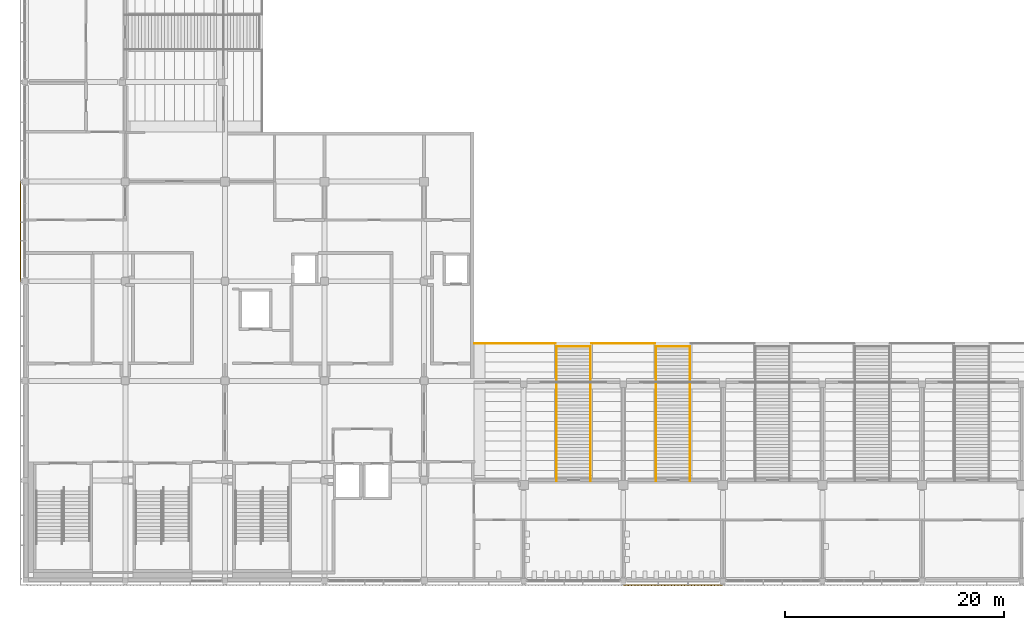
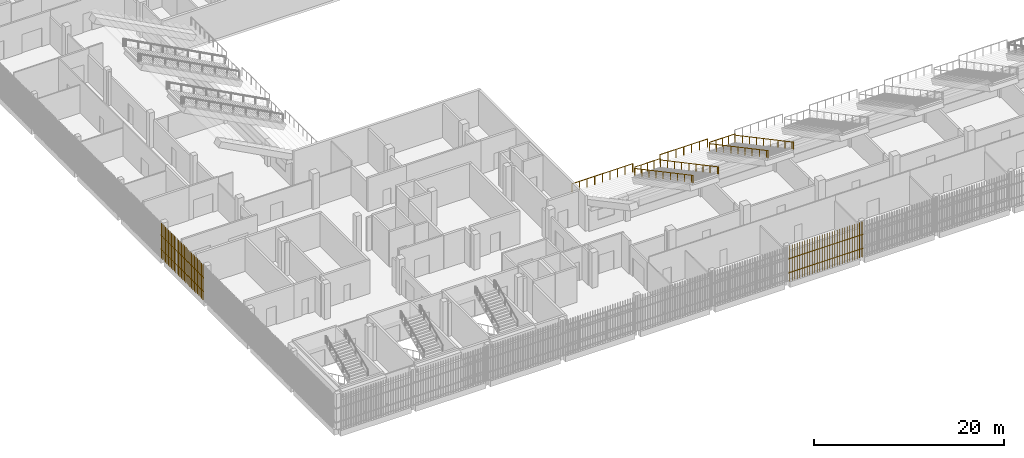
# One storey, part 116 of 139: 8 railings, 2 shading devices.
"""IFC4 building model written with IfcOpenShell, lengths in metres."""

from ifc_helpers import new_model, si_unit, direction, frame, origin, origin_2d, place, context, subcontext, project, spatial, rectangle, circle, extrude, material, type_object, element, save


model = new_model("IFC4")

# Units and contexts
model_context = context("Model", 3, precision=1e-05, world=origin(), true_north=direction((0.0, 1.0)))
body_context = subcontext(model_context, "Body", "Model", "MODEL_VIEW")
ifc_project = project(units=[si_unit("LENGTHUNIT", "METRE"), si_unit("AREAUNIT", "SQUARE_METRE"), si_unit("VOLUMEUNIT", "CUBIC_METRE"), si_unit("PLANEANGLEUNIT", "RADIAN"), si_unit("MASSUNIT", "GRAM", prefix="KILO")], contexts=[model_context])

# Site, building, storey
site_placement = place(None, origin())
site = spatial("IfcSite", under=ifc_project, at=site_placement, CompositionType="ELEMENT")
building_placement = place(site_placement, origin())
building = spatial("IfcBuilding", under=site, at=building_placement, Name="Shirokan Park Arena", CompositionType="ELEMENT")
storey_placement = place(building_placement, frame((0.0, 0.0, 15.469970703125)))
storey = spatial("IfcBuildingStorey", under=building, at=storey_placement, Name="L03", CompositionType="ELEMENT", Elevation=15.469970703125)

# Railings
ifc_material_1 = material(Name="Stainless steel", Category="steel")
railing_type_1 = type_object("IfcRailingType", Name="Aisle foot guard 1100", PredefinedType="GUARDRAIL", material=ifc_material_1)
railing_1_placement = place(storey_placement, frame((48.5, 21.35009765625, 2.5400390625)))
element("IfcRailing", 1, at=railing_1_placement, inside=storey, type_object=railing_type_1, Name="Guard foot of vomitory stair S1 upper", PredefinedType="GUARDRAIL", context=body_context, shape_type="SweptSolid", body=[
    extrude(circle(Radius=0.02490234375, at=origin_2d()), frame((0.0, 0.0, 1.0771484375), z_axis=(1.0, 0.0, 0.0), x_axis=(0.0, 1.0, 0.0)), (0.0, 0.0, 1.0), 3.10009765625),
    extrude(circle(Radius=0.02490234375, at=origin_2d()), origin(), (0.0, 0.0, 1.0), 1.052001953125),
    extrude(circle(Radius=0.02490234375, at=origin_2d()), frame((0.77490234375, 0.0, 0.0)), (0.0, 0.0, 1.0), 1.052001953125),
    extrude(circle(Radius=0.02490234375, at=origin_2d()), frame((1.550048828125, 0.0, 0.0)), (0.0, 0.0, 1.0), 1.052001953125),
    extrude(circle(Radius=0.02490234375, at=origin_2d()), frame((2.3251953125, 0.0, 0.0)), (0.0, 0.0, 1.0), 1.052001953125),
    extrude(circle(Radius=0.02490234375, at=origin_2d()), frame((3.10009765625, 0.0, 0.0)), (0.0, 0.0, 1.0), 1.052001953125),
])
railing_2_placement = place(storey_placement, frame((57.60009765625, 21.35009765625, 2.5400390625)))
element("IfcRailing", 2, at=railing_2_placement, inside=storey, type_object=railing_type_1, Name="Guard foot of vomitory stair S2 upper", PredefinedType="GUARDRAIL", context=body_context, shape_type="SweptSolid", body=[
    extrude(circle(Radius=0.02490234375, at=origin_2d()), frame((0.0, 0.0, 1.0771484375), z_axis=(1.0, 0.0, 0.0), x_axis=(0.0, 1.0, 0.0)), (0.0, 0.0, 1.0), 3.099853515625),
    extrude(circle(Radius=0.02490234375, at=origin_2d()), origin(), (0.0, 0.0, 1.0), 1.052001953125),
    extrude(circle(Radius=0.02490234375, at=origin_2d()), frame((0.77490234375, 0.0, 0.0)), (0.0, 0.0, 1.0), 1.052001953125),
    extrude(circle(Radius=0.02490234375, at=origin_2d()), frame((1.5498046875, 0.0, 0.0)), (0.0, 0.0, 1.0), 1.052001953125),
    extrude(circle(Radius=0.02490234375, at=origin_2d()), frame((2.324951171875, 0.0, 0.0)), (0.0, 0.0, 1.0), 1.052001953125),
    extrude(circle(Radius=0.02490234375, at=origin_2d()), frame((3.099853515625, 0.0, 0.0)), (0.0, 0.0, 1.0), 1.052001953125),
])
railing_type_2 = type_object("IfcRailingType", Name="Aisle handrail 900", PredefinedType="HANDRAIL", material=ifc_material_1)
railing_3_placement = place(storey_placement, frame((48.489990234375, 21.35009765625, 2.5400390625)))
element("IfcRailing", 3, at=railing_3_placement, inside=storey, type_object=railing_type_2, Name="Handrail vomitory stair S1 upper", PredefinedType="HANDRAIL", context=body_context, shape_type="SweptSolid", body=[
    extrude(circle(Radius=0.02490234375, at=origin_2d()), frame((0.0, 0.0, 0.90185546875), z_axis=(0.0, -0.882341014787, 0.470610596591), x_axis=(1.0, 0.0, 0.0)), (0.0, 0.0, 1.0), 1.699951171875),
    extrude(circle(Radius=0.02490234375, at=origin_2d()), frame((0.0, -1.5, 1.70166015625), z_axis=(0.0, -0.882341014787, 0.470610596591), x_axis=(1.0, 0.0, 0.0)), (0.0, 0.0, 1.0), 1.699951171875),
    extrude(circle(Radius=0.02490234375, at=origin_2d()), frame((0.0, -3.0, 2.501953125), z_axis=(0.0, -0.88240064429, 0.470498781037), x_axis=(1.0, 0.0, 0.0)), (0.0, 0.0, 1.0), 1.699951171875),
    extrude(circle(Radius=0.02490234375, at=origin_2d()), frame((0.0, -4.5, 3.3017578125), z_axis=(0.0, -0.882341014787, 0.470610596591), x_axis=(1.0, 0.0, 0.0)), (0.0, 0.0, 1.0), 1.699951171875),
    extrude(circle(Radius=0.02490234375, at=origin_2d()), frame((0.0, -6.0, 4.1015625), z_axis=(0.0, -0.882341014787, 0.470610596591), x_axis=(1.0, 0.0, 0.0)), (0.0, 0.0, 1.0), 1.699951171875),
    extrude(circle(Radius=0.02490234375, at=origin_2d()), frame((0.0, -7.5, 4.90185546875), z_axis=(0.0, -0.882341014787, 0.470610596591), x_axis=(1.0, 0.0, 0.0)), (0.0, 0.0, 1.0), 1.699951171875),
    extrude(circle(Radius=0.02490234375, at=origin_2d()), frame((0.0, -9.0, 5.70166015625), z_axis=(0.0, -0.882341014787, 0.470610596591), x_axis=(1.0, 0.0, 0.0)), (0.0, 0.0, 1.0), 1.699951171875),
    extrude(circle(Radius=0.02490234375, at=origin_2d()), frame((0.0, -10.5, 6.501953125), z_axis=(0.0, -0.88240064429, 0.470498781037), x_axis=(1.0, 0.0, 0.0)), (0.0, 0.0, 1.0), 1.699951171875),
    extrude(circle(Radius=0.02490234375, at=origin_2d()), frame((0.0, -12.0, 7.3017578125), z_axis=(0.0, -0.882193928472, 0.470886262878), x_axis=(1.0, 0.0, 0.0)), (0.0, 0.0, 1.0), 0.340087890625),
    extrude(circle(Radius=0.02490234375, at=origin_2d()), origin(), (0.0, 0.0, 1.0), 0.876708984375),
    extrude(circle(Radius=0.02490234375, at=origin_2d()), frame((0.0, -1.5, 0.800048828125)), (0.0, 0.0, 1.0), 0.876708984375),
    extrude(circle(Radius=0.02490234375, at=origin_2d()), frame((0.0, -3.0, 1.60009765625)), (0.0, 0.0, 1.0), 0.876708984375),
    extrude(circle(Radius=0.02490234375, at=origin_2d()), frame((0.0, -4.5, 2.39990234375)), (0.0, 0.0, 1.0), 0.876708984375),
    extrude(circle(Radius=0.02490234375, at=origin_2d()), frame((0.0, -6.0, 3.199951171875)), (0.0, 0.0, 1.0), 0.876708984375),
    extrude(circle(Radius=0.02490234375, at=origin_2d()), frame((0.0, -7.5, 4.0)), (0.0, 0.0, 1.0), 0.876708984375),
    extrude(circle(Radius=0.02490234375, at=origin_2d()), frame((0.0, -9.0, 4.800048828125)), (0.0, 0.0, 1.0), 0.876708984375),
    extrude(circle(Radius=0.02490234375, at=origin_2d()), frame((0.0, -10.5, 5.60009765625)), (0.0, 0.0, 1.0), 0.876708984375),
    extrude(circle(Radius=0.02490234375, at=origin_2d()), frame((0.0, -12.0, 6.39990234375)), (0.0, 0.0, 1.0), 0.876708984375),
    extrude(circle(Radius=0.02490234375, at=origin_2d()), frame((0.0, -12.300048828125, 6.56005859375)), (0.0, 0.0, 1.0), 0.876708984375),
])
railing_4_placement = place(storey_placement, frame((51.610107421875, 21.35009765625, 2.5400390625)))
element("IfcRailing", 4, at=railing_4_placement, inside=storey, type_object=railing_type_2, Name="Handrail vomitory stair S1 upper", PredefinedType="HANDRAIL", context=body_context, shape_type="SweptSolid", body=[
    extrude(circle(Radius=0.02490234375, at=origin_2d()), frame((0.0, 0.0, 0.90185546875), z_axis=(0.0, -0.882341014787, 0.470610596591), x_axis=(1.0, 0.0, 0.0)), (0.0, 0.0, 1.0), 1.699951171875),
    extrude(circle(Radius=0.02490234375, at=origin_2d()), frame((0.0, -1.5, 1.70166015625), z_axis=(0.0, -0.882341014787, 0.470610596591), x_axis=(1.0, 0.0, 0.0)), (0.0, 0.0, 1.0), 1.699951171875),
    extrude(circle(Radius=0.02490234375, at=origin_2d()), frame((0.0, -3.0, 2.501953125), z_axis=(0.0, -0.88240064429, 0.470498781037), x_axis=(1.0, 0.0, 0.0)), (0.0, 0.0, 1.0), 1.699951171875),
    extrude(circle(Radius=0.02490234375, at=origin_2d()), frame((0.0, -4.5, 3.3017578125), z_axis=(0.0, -0.882341014787, 0.470610596591), x_axis=(1.0, 0.0, 0.0)), (0.0, 0.0, 1.0), 1.699951171875),
    extrude(circle(Radius=0.02490234375, at=origin_2d()), frame((0.0, -6.0, 4.1015625), z_axis=(0.0, -0.882341014787, 0.470610596591), x_axis=(1.0, 0.0, 0.0)), (0.0, 0.0, 1.0), 1.699951171875),
    extrude(circle(Radius=0.02490234375, at=origin_2d()), frame((0.0, -7.5, 4.90185546875), z_axis=(0.0, -0.882341014787, 0.470610596591), x_axis=(1.0, 0.0, 0.0)), (0.0, 0.0, 1.0), 1.699951171875),
    extrude(circle(Radius=0.02490234375, at=origin_2d()), frame((0.0, -9.0, 5.70166015625), z_axis=(0.0, -0.882341014787, 0.470610596591), x_axis=(1.0, 0.0, 0.0)), (0.0, 0.0, 1.0), 1.699951171875),
    extrude(circle(Radius=0.02490234375, at=origin_2d()), frame((0.0, -10.5, 6.501953125), z_axis=(0.0, -0.88240064429, 0.470498781037), x_axis=(1.0, 0.0, 0.0)), (0.0, 0.0, 1.0), 1.699951171875),
    extrude(circle(Radius=0.02490234375, at=origin_2d()), frame((0.0, -12.0, 7.3017578125), z_axis=(0.0, -0.882193928472, 0.470886262878), x_axis=(1.0, 0.0, 0.0)), (0.0, 0.0, 1.0), 0.340087890625),
    extrude(circle(Radius=0.02490234375, at=origin_2d()), origin(), (0.0, 0.0, 1.0), 0.876708984375),
    extrude(circle(Radius=0.02490234375, at=origin_2d()), frame((0.0, -1.5, 0.800048828125)), (0.0, 0.0, 1.0), 0.876708984375),
    extrude(circle(Radius=0.02490234375, at=origin_2d()), frame((0.0, -3.0, 1.60009765625)), (0.0, 0.0, 1.0), 0.876708984375),
    extrude(circle(Radius=0.02490234375, at=origin_2d()), frame((0.0, -4.5, 2.39990234375)), (0.0, 0.0, 1.0), 0.876708984375),
    extrude(circle(Radius=0.02490234375, at=origin_2d()), frame((0.0, -6.0, 3.199951171875)), (0.0, 0.0, 1.0), 0.876708984375),
    extrude(circle(Radius=0.02490234375, at=origin_2d()), frame((0.0, -7.5, 4.0)), (0.0, 0.0, 1.0), 0.876708984375),
    extrude(circle(Radius=0.02490234375, at=origin_2d()), frame((0.0, -9.0, 4.800048828125)), (0.0, 0.0, 1.0), 0.876708984375),
    extrude(circle(Radius=0.02490234375, at=origin_2d()), frame((0.0, -10.5, 5.60009765625)), (0.0, 0.0, 1.0), 0.876708984375),
    extrude(circle(Radius=0.02490234375, at=origin_2d()), frame((0.0, -12.0, 6.39990234375)), (0.0, 0.0, 1.0), 0.876708984375),
    extrude(circle(Radius=0.02490234375, at=origin_2d()), frame((0.0, -12.300048828125, 6.56005859375)), (0.0, 0.0, 1.0), 0.876708984375),
])
railing_5_placement = place(storey_placement, frame((57.590087890625, 21.35009765625, 2.5400390625)))
element("IfcRailing", 5, at=railing_5_placement, inside=storey, type_object=railing_type_2, Name="Handrail vomitory stair S2 upper", PredefinedType="HANDRAIL", context=body_context, shape_type="SweptSolid", body=[
    extrude(circle(Radius=0.02490234375, at=origin_2d()), frame((0.0, 0.0, 0.90185546875), z_axis=(0.0, -0.882341014787, 0.470610596591), x_axis=(1.0, 0.0, 0.0)), (0.0, 0.0, 1.0), 1.699951171875),
    extrude(circle(Radius=0.02490234375, at=origin_2d()), frame((0.0, -1.5, 1.70166015625), z_axis=(0.0, -0.882341014787, 0.470610596591), x_axis=(1.0, 0.0, 0.0)), (0.0, 0.0, 1.0), 1.699951171875),
    extrude(circle(Radius=0.02490234375, at=origin_2d()), frame((0.0, -3.0, 2.501953125), z_axis=(0.0, -0.88240064429, 0.470498781037), x_axis=(1.0, 0.0, 0.0)), (0.0, 0.0, 1.0), 1.699951171875),
    extrude(circle(Radius=0.02490234375, at=origin_2d()), frame((0.0, -4.5, 3.3017578125), z_axis=(0.0, -0.882341014787, 0.470610596591), x_axis=(1.0, 0.0, 0.0)), (0.0, 0.0, 1.0), 1.699951171875),
    extrude(circle(Radius=0.02490234375, at=origin_2d()), frame((0.0, -6.0, 4.1015625), z_axis=(0.0, -0.882341014787, 0.470610596591), x_axis=(1.0, 0.0, 0.0)), (0.0, 0.0, 1.0), 1.699951171875),
    extrude(circle(Radius=0.02490234375, at=origin_2d()), frame((0.0, -7.5, 4.90185546875), z_axis=(0.0, -0.882341014787, 0.470610596591), x_axis=(1.0, 0.0, 0.0)), (0.0, 0.0, 1.0), 1.699951171875),
    extrude(circle(Radius=0.02490234375, at=origin_2d()), frame((0.0, -9.0, 5.70166015625), z_axis=(0.0, -0.882341014787, 0.470610596591), x_axis=(1.0, 0.0, 0.0)), (0.0, 0.0, 1.0), 1.699951171875),
    extrude(circle(Radius=0.02490234375, at=origin_2d()), frame((0.0, -10.5, 6.501953125), z_axis=(0.0, -0.88240064429, 0.470498781037), x_axis=(1.0, 0.0, 0.0)), (0.0, 0.0, 1.0), 1.699951171875),
    extrude(circle(Radius=0.02490234375, at=origin_2d()), frame((0.0, -12.0, 7.3017578125), z_axis=(0.0, -0.882193928472, 0.470886262878), x_axis=(1.0, 0.0, 0.0)), (0.0, 0.0, 1.0), 0.340087890625),
    extrude(circle(Radius=0.02490234375, at=origin_2d()), origin(), (0.0, 0.0, 1.0), 0.876708984375),
    extrude(circle(Radius=0.02490234375, at=origin_2d()), frame((0.0, -1.5, 0.800048828125)), (0.0, 0.0, 1.0), 0.876708984375),
    extrude(circle(Radius=0.02490234375, at=origin_2d()), frame((0.0, -3.0, 1.60009765625)), (0.0, 0.0, 1.0), 0.876708984375),
    extrude(circle(Radius=0.02490234375, at=origin_2d()), frame((0.0, -4.5, 2.39990234375)), (0.0, 0.0, 1.0), 0.876708984375),
    extrude(circle(Radius=0.02490234375, at=origin_2d()), frame((0.0, -6.0, 3.199951171875)), (0.0, 0.0, 1.0), 0.876708984375),
    extrude(circle(Radius=0.02490234375, at=origin_2d()), frame((0.0, -7.5, 4.0)), (0.0, 0.0, 1.0), 0.876708984375),
    extrude(circle(Radius=0.02490234375, at=origin_2d()), frame((0.0, -9.0, 4.800048828125)), (0.0, 0.0, 1.0), 0.876708984375),
    extrude(circle(Radius=0.02490234375, at=origin_2d()), frame((0.0, -10.5, 5.60009765625)), (0.0, 0.0, 1.0), 0.876708984375),
    extrude(circle(Radius=0.02490234375, at=origin_2d()), frame((0.0, -12.0, 6.39990234375)), (0.0, 0.0, 1.0), 0.876708984375),
    extrude(circle(Radius=0.02490234375, at=origin_2d()), frame((0.0, -12.300048828125, 6.56005859375)), (0.0, 0.0, 1.0), 0.876708984375),
])
railing_6_placement = place(storey_placement, frame((60.7099609375, 21.35009765625, 2.5400390625)))
element("IfcRailing", 6, at=railing_6_placement, inside=storey, type_object=railing_type_2, Name="Handrail vomitory stair S2 upper", PredefinedType="HANDRAIL", context=body_context, shape_type="SweptSolid", body=[
    extrude(circle(Radius=0.02490234375, at=origin_2d()), frame((0.0, 0.0, 0.90185546875), z_axis=(0.0, -0.882341014787, 0.470610596591), x_axis=(1.0, 0.0, 0.0)), (0.0, 0.0, 1.0), 1.699951171875),
    extrude(circle(Radius=0.02490234375, at=origin_2d()), frame((0.0, -1.5, 1.70166015625), z_axis=(0.0, -0.882341014787, 0.470610596591), x_axis=(1.0, 0.0, 0.0)), (0.0, 0.0, 1.0), 1.699951171875),
    extrude(circle(Radius=0.02490234375, at=origin_2d()), frame((0.0, -3.0, 2.501953125), z_axis=(0.0, -0.88240064429, 0.470498781037), x_axis=(1.0, 0.0, 0.0)), (0.0, 0.0, 1.0), 1.699951171875),
    extrude(circle(Radius=0.02490234375, at=origin_2d()), frame((0.0, -4.5, 3.3017578125), z_axis=(0.0, -0.882341014787, 0.470610596591), x_axis=(1.0, 0.0, 0.0)), (0.0, 0.0, 1.0), 1.699951171875),
    extrude(circle(Radius=0.02490234375, at=origin_2d()), frame((0.0, -6.0, 4.1015625), z_axis=(0.0, -0.882341014787, 0.470610596591), x_axis=(1.0, 0.0, 0.0)), (0.0, 0.0, 1.0), 1.699951171875),
    extrude(circle(Radius=0.02490234375, at=origin_2d()), frame((0.0, -7.5, 4.90185546875), z_axis=(0.0, -0.882341014787, 0.470610596591), x_axis=(1.0, 0.0, 0.0)), (0.0, 0.0, 1.0), 1.699951171875),
    extrude(circle(Radius=0.02490234375, at=origin_2d()), frame((0.0, -9.0, 5.70166015625), z_axis=(0.0, -0.882341014787, 0.470610596591), x_axis=(1.0, 0.0, 0.0)), (0.0, 0.0, 1.0), 1.699951171875),
    extrude(circle(Radius=0.02490234375, at=origin_2d()), frame((0.0, -10.5, 6.501953125), z_axis=(0.0, -0.88240064429, 0.470498781037), x_axis=(1.0, 0.0, 0.0)), (0.0, 0.0, 1.0), 1.699951171875),
    extrude(circle(Radius=0.02490234375, at=origin_2d()), frame((0.0, -12.0, 7.3017578125), z_axis=(0.0, -0.882193928472, 0.470886262878), x_axis=(1.0, 0.0, 0.0)), (0.0, 0.0, 1.0), 0.340087890625),
    extrude(circle(Radius=0.02490234375, at=origin_2d()), origin(), (0.0, 0.0, 1.0), 0.876708984375),
    extrude(circle(Radius=0.02490234375, at=origin_2d()), frame((0.0, -1.5, 0.800048828125)), (0.0, 0.0, 1.0), 0.876708984375),
    extrude(circle(Radius=0.02490234375, at=origin_2d()), frame((0.0, -3.0, 1.60009765625)), (0.0, 0.0, 1.0), 0.876708984375),
    extrude(circle(Radius=0.02490234375, at=origin_2d()), frame((0.0, -4.5, 2.39990234375)), (0.0, 0.0, 1.0), 0.876708984375),
    extrude(circle(Radius=0.02490234375, at=origin_2d()), frame((0.0, -6.0, 3.199951171875)), (0.0, 0.0, 1.0), 0.876708984375),
    extrude(circle(Radius=0.02490234375, at=origin_2d()), frame((0.0, -7.5, 4.0)), (0.0, 0.0, 1.0), 0.876708984375),
    extrude(circle(Radius=0.02490234375, at=origin_2d()), frame((0.0, -9.0, 4.800048828125)), (0.0, 0.0, 1.0), 0.876708984375),
    extrude(circle(Radius=0.02490234375, at=origin_2d()), frame((0.0, -10.5, 5.60009765625)), (0.0, 0.0, 1.0), 0.876708984375),
    extrude(circle(Radius=0.02490234375, at=origin_2d()), frame((0.0, -12.0, 6.39990234375)), (0.0, 0.0, 1.0), 0.876708984375),
    extrude(circle(Radius=0.02490234375, at=origin_2d()), frame((0.0, -12.300048828125, 6.56005859375)), (0.0, 0.0, 1.0), 0.876708984375),
])
railing_type_3 = type_object("IfcRailingType", Name="Crowd barrier 1100", PredefinedType="GUARDRAIL", material=ifc_material_1)
railing_7_placement = place(storey_placement, frame((41.0, 21.60009765625, 2.860107421875)))
element("IfcRailing", 7, at=railing_7_placement, inside=storey, type_object=railing_type_3, Name="Crowd barrier S1 upper tier", PredefinedType="GUARDRAIL", context=body_context, shape_type="SweptSolid", body=[
    extrude(circle(Radius=0.030029296875, at=origin_2d()), frame((0.0, 0.0, 1.072021484375), z_axis=(1.0, 0.0, 0.0), x_axis=(0.0, 1.0, 0.0)), (0.0, 0.0, 1.0), 7.39990234375),
    extrude(circle(Radius=0.030029296875, at=origin_2d()), origin(), (0.0, 0.0, 1.0), 1.0419921875),
    extrude(circle(Radius=0.030029296875, at=origin_2d()), frame((0.925048828125, 0.0, 0.0)), (0.0, 0.0, 1.0), 1.0419921875),
    extrude(circle(Radius=0.030029296875, at=origin_2d()), frame((1.85009765625, 0.0, 0.0)), (0.0, 0.0, 1.0), 1.0419921875),
    extrude(circle(Radius=0.030029296875, at=origin_2d()), frame((2.77490234375, 0.0, 0.0)), (0.0, 0.0, 1.0), 1.0419921875),
    extrude(circle(Radius=0.030029296875, at=origin_2d()), frame((3.699951171875, 0.0, 0.0)), (0.0, 0.0, 1.0), 1.0419921875),
    extrude(circle(Radius=0.030029296875, at=origin_2d()), frame((4.625, 0.0, 0.0)), (0.0, 0.0, 1.0), 1.0419921875),
    extrude(circle(Radius=0.030029296875, at=origin_2d()), frame((5.5498046875, 0.0, 0.0)), (0.0, 0.0, 1.0), 1.0419921875),
    extrude(circle(Radius=0.030029296875, at=origin_2d()), frame((6.474853515625, 0.0, 0.0)), (0.0, 0.0, 1.0), 1.0419921875),
    extrude(circle(Radius=0.030029296875, at=origin_2d()), frame((7.39990234375, 0.0, 0.0)), (0.0, 0.0, 1.0), 1.0419921875),
])
railing_8_placement = place(storey_placement, frame((51.699951171875, 21.60009765625, 2.860107421875)))
element("IfcRailing", 8, at=railing_8_placement, inside=storey, type_object=railing_type_3, Name="Crowd barrier S2 upper tier", PredefinedType="GUARDRAIL", context=body_context, shape_type="SweptSolid", body=[
    extrude(circle(Radius=0.030029296875, at=origin_2d()), frame((0.0, 0.0, 1.072021484375), z_axis=(1.0, 0.0, 0.0), x_axis=(0.0, 1.0, 0.0)), (0.0, 0.0, 1.0), 5.800048828125),
    extrude(circle(Radius=0.030029296875, at=origin_2d()), origin(), (0.0, 0.0, 1.0), 1.0419921875),
    extrude(circle(Radius=0.030029296875, at=origin_2d()), frame((0.966796875, 0.0, 0.0)), (0.0, 0.0, 1.0), 1.0419921875),
    extrude(circle(Radius=0.030029296875, at=origin_2d()), frame((1.933349609375, 0.0, 0.0)), (0.0, 0.0, 1.0), 1.0419921875),
    extrude(circle(Radius=0.030029296875, at=origin_2d()), frame((2.89990234375, 0.0, 0.0)), (0.0, 0.0, 1.0), 1.0419921875),
    extrude(circle(Radius=0.030029296875, at=origin_2d()), frame((3.86669921875, 0.0, 0.0)), (0.0, 0.0, 1.0), 1.0419921875),
    extrude(circle(Radius=0.030029296875, at=origin_2d()), frame((4.83349609375, 0.0, 0.0)), (0.0, 0.0, 1.0), 1.0419921875),
    extrude(circle(Radius=0.030029296875, at=origin_2d()), frame((5.800048828125, 0.0, 0.0)), (0.0, 0.0, 1.0), 1.0419921875),
])

# Shading devices
ifc_material_2 = material(Name="Timber louvre veil (cedar)", Category="wood")
shading_device_type = type_object("IfcShadingDeviceType", Name="Timber louvre veil panel", PredefinedType="JALOUSIE", material=ifc_material_2)
shading_device_1_placement = place(storey_placement, origin())
element("IfcShadingDevice", 9, at=shading_device_1_placement, inside=storey, type_object=shading_device_type, Name="Timber louvre veil south bay 7 L03", PredefinedType="JALOUSIE", context=body_context, shape_type="SweptSolid", body=[
    extrude(rectangle(XDim=0.050048828125, YDim=0.080078125, at=origin_2d()), frame((54.751708984375, -0.485107421875, 0.0), z_axis=(0.0, 0.0, 1.0), x_axis=(1.0, 0.0, 0.0)), (0.0, 0.0, 1.0), 4.550048828125),
    extrude(rectangle(XDim=0.050048828125, YDim=0.080078125, at=origin_2d()), frame((55.054931640625, -0.485107421875, 0.0), z_axis=(0.0, 0.0, 1.0), x_axis=(1.0, 0.0, 0.0)), (0.0, 0.0, 1.0), 4.550048828125),
    extrude(rectangle(XDim=0.050048828125, YDim=0.080078125, at=origin_2d()), frame((55.3583984375, -0.485107421875, 0.0), z_axis=(0.0, 0.0, 1.0), x_axis=(1.0, 0.0, 0.0)), (0.0, 0.0, 1.0), 4.550048828125),
    extrude(rectangle(XDim=0.050048828125, YDim=0.080078125, at=origin_2d()), frame((55.66162109375, -0.485107421875, 0.0), z_axis=(0.0, 0.0, 1.0), x_axis=(1.0, 0.0, 0.0)), (0.0, 0.0, 1.0), 4.550048828125),
    extrude(rectangle(XDim=0.050048828125, YDim=0.080078125, at=origin_2d()), frame((55.965087890625, -0.485107421875, 0.0), z_axis=(0.0, 0.0, 1.0), x_axis=(1.0, 0.0, 0.0)), (0.0, 0.0, 1.0), 4.550048828125),
    extrude(rectangle(XDim=0.050048828125, YDim=0.080078125, at=origin_2d()), frame((56.268310546875, -0.485107421875, 0.0), z_axis=(0.0, 0.0, 1.0), x_axis=(1.0, 0.0, 0.0)), (0.0, 0.0, 1.0), 4.550048828125),
    extrude(rectangle(XDim=0.050048828125, YDim=0.080078125, at=origin_2d()), frame((56.57177734375, -0.485107421875, 0.0), z_axis=(0.0, 0.0, 1.0), x_axis=(1.0, 0.0, 0.0)), (0.0, 0.0, 1.0), 4.550048828125),
    extrude(rectangle(XDim=0.050048828125, YDim=0.080078125, at=origin_2d()), frame((56.875, -0.485107421875, 0.0), z_axis=(0.0, 0.0, 1.0), x_axis=(1.0, 0.0, 0.0)), (0.0, 0.0, 1.0), 4.550048828125),
    extrude(rectangle(XDim=0.050048828125, YDim=0.080078125, at=origin_2d()), frame((57.17822265625, -0.485107421875, 0.0), z_axis=(0.0, 0.0, 1.0), x_axis=(1.0, 0.0, 0.0)), (0.0, 0.0, 1.0), 4.550048828125),
    extrude(rectangle(XDim=0.050048828125, YDim=0.080078125, at=origin_2d()), frame((57.481689453125, -0.485107421875, 0.0), z_axis=(0.0, 0.0, 1.0), x_axis=(1.0, 0.0, 0.0)), (0.0, 0.0, 1.0), 4.550048828125),
    extrude(rectangle(XDim=0.050048828125, YDim=0.080078125, at=origin_2d()), frame((57.784912109375, -0.485107421875, 0.0), z_axis=(0.0, 0.0, 1.0), x_axis=(1.0, 0.0, 0.0)), (0.0, 0.0, 1.0), 4.550048828125),
    extrude(rectangle(XDim=0.050048828125, YDim=0.080078125, at=origin_2d()), frame((58.08837890625, -0.485107421875, 0.0), z_axis=(0.0, 0.0, 1.0), x_axis=(1.0, 0.0, 0.0)), (0.0, 0.0, 1.0), 4.550048828125),
    extrude(rectangle(XDim=0.050048828125, YDim=0.080078125, at=origin_2d()), frame((58.3916015625, -0.485107421875, 0.0), z_axis=(0.0, 0.0, 1.0), x_axis=(1.0, 0.0, 0.0)), (0.0, 0.0, 1.0), 4.550048828125),
    extrude(rectangle(XDim=0.050048828125, YDim=0.080078125, at=origin_2d()), frame((58.695068359375, -0.485107421875, 0.0), z_axis=(0.0, 0.0, 1.0), x_axis=(1.0, 0.0, 0.0)), (0.0, 0.0, 1.0), 4.550048828125),
    extrude(rectangle(XDim=0.050048828125, YDim=0.080078125, at=origin_2d()), frame((58.998291015625, -0.485107421875, 0.0), z_axis=(0.0, 0.0, 1.0), x_axis=(1.0, 0.0, 0.0)), (0.0, 0.0, 1.0), 4.550048828125),
    extrude(rectangle(XDim=0.050048828125, YDim=0.080078125, at=origin_2d()), frame((59.3017578125, -0.485107421875, 0.0), z_axis=(0.0, 0.0, 1.0), x_axis=(1.0, 0.0, 0.0)), (0.0, 0.0, 1.0), 4.550048828125),
    extrude(rectangle(XDim=0.050048828125, YDim=0.080078125, at=origin_2d()), frame((59.60498046875, -0.485107421875, 0.0), z_axis=(0.0, 0.0, 1.0), x_axis=(1.0, 0.0, 0.0)), (0.0, 0.0, 1.0), 4.550048828125),
    extrude(rectangle(XDim=0.050048828125, YDim=0.080078125, at=origin_2d()), frame((59.908447265625, -0.485107421875, 0.0), z_axis=(0.0, 0.0, 1.0), x_axis=(1.0, 0.0, 0.0)), (0.0, 0.0, 1.0), 4.550048828125),
    extrude(rectangle(XDim=0.050048828125, YDim=0.080078125, at=origin_2d()), frame((60.211669921875, -0.485107421875, 0.0), z_axis=(0.0, 0.0, 1.0), x_axis=(1.0, 0.0, 0.0)), (0.0, 0.0, 1.0), 4.550048828125),
    extrude(rectangle(XDim=0.050048828125, YDim=0.080078125, at=origin_2d()), frame((60.514892578125, -0.485107421875, 0.0), z_axis=(0.0, 0.0, 1.0), x_axis=(1.0, 0.0, 0.0)), (0.0, 0.0, 1.0), 4.550048828125),
    extrude(rectangle(XDim=0.050048828125, YDim=0.080078125, at=origin_2d()), frame((60.818359375, -0.485107421875, 0.0), z_axis=(0.0, 0.0, 1.0), x_axis=(1.0, 0.0, 0.0)), (0.0, 0.0, 1.0), 4.550048828125),
    extrude(rectangle(XDim=0.050048828125, YDim=0.080078125, at=origin_2d()), frame((61.12158203125, -0.485107421875, 0.0), z_axis=(0.0, 0.0, 1.0), x_axis=(1.0, 0.0, 0.0)), (0.0, 0.0, 1.0), 4.550048828125),
    extrude(rectangle(XDim=0.050048828125, YDim=0.080078125, at=origin_2d()), frame((61.425048828125, -0.485107421875, 0.0), z_axis=(0.0, 0.0, 1.0), x_axis=(1.0, 0.0, 0.0)), (0.0, 0.0, 1.0), 4.550048828125),
    extrude(rectangle(XDim=0.050048828125, YDim=0.080078125, at=origin_2d()), frame((61.728271484375, -0.485107421875, 0.0), z_axis=(0.0, 0.0, 1.0), x_axis=(1.0, 0.0, 0.0)), (0.0, 0.0, 1.0), 4.550048828125),
    extrude(rectangle(XDim=0.050048828125, YDim=0.080078125, at=origin_2d()), frame((62.03173828125, -0.485107421875, 0.0), z_axis=(0.0, 0.0, 1.0), x_axis=(1.0, 0.0, 0.0)), (0.0, 0.0, 1.0), 4.550048828125),
    extrude(rectangle(XDim=0.050048828125, YDim=0.080078125, at=origin_2d()), frame((62.3349609375, -0.485107421875, 0.0), z_axis=(0.0, 0.0, 1.0), x_axis=(1.0, 0.0, 0.0)), (0.0, 0.0, 1.0), 4.550048828125),
    extrude(rectangle(XDim=0.050048828125, YDim=0.080078125, at=origin_2d()), frame((62.638427734375, -0.485107421875, 0.0), z_axis=(0.0, 0.0, 1.0), x_axis=(1.0, 0.0, 0.0)), (0.0, 0.0, 1.0), 4.550048828125),
    extrude(rectangle(XDim=0.050048828125, YDim=0.080078125, at=origin_2d()), frame((62.941650390625, -0.485107421875, 0.0), z_axis=(0.0, 0.0, 1.0), x_axis=(1.0, 0.0, 0.0)), (0.0, 0.0, 1.0), 4.550048828125),
    extrude(rectangle(XDim=0.050048828125, YDim=0.080078125, at=origin_2d()), frame((63.2451171875, -0.485107421875, 0.0), z_axis=(0.0, 0.0, 1.0), x_axis=(1.0, 0.0, 0.0)), (0.0, 0.0, 1.0), 4.550048828125),
    extrude(rectangle(XDim=0.050048828125, YDim=0.080078125, at=origin_2d()), frame((63.54833984375, -0.485107421875, 0.0), z_axis=(0.0, 0.0, 1.0), x_axis=(1.0, 0.0, 0.0)), (0.0, 0.0, 1.0), 4.550048828125),
    extrude(rectangle(XDim=9.10009765625, YDim=0.050048828125, at=origin_2d()), frame((59.14990234375, -0.469970703125, 1.06005859375), z_axis=(0.0, 0.0, 1.0), x_axis=(1.0, 0.0, 0.0)), (0.0, 0.0, 1.0), 0.080078125),
    extrude(rectangle(XDim=9.10009765625, YDim=0.050048828125, at=origin_2d()), frame((59.14990234375, -0.469970703125, 2.860107421875), z_axis=(0.0, 0.0, 1.0), x_axis=(1.0, 0.0, 0.0)), (0.0, 0.0, 1.0), 0.080078125),
])
shading_device_2_placement = place(storey_placement, origin())
element("IfcShadingDevice", 10, at=shading_device_2_placement, inside=storey, type_object=shading_device_type, Name="Timber louvre veil west bay 9 L03", PredefinedType="JALOUSIE", context=body_context, shape_type="SweptSolid", body=[
    extrude(rectangle(XDim=0.050048828125, YDim=0.080078125, at=origin_2d()), frame((-0.485107421875, 36.248291015625, 0.0), z_axis=(0.0, 0.0, 1.0), x_axis=(0.0, -1.0, 0.0)), (0.0, 0.0, 1.0), 4.550048828125),
    extrude(rectangle(XDim=0.050048828125, YDim=0.080078125, at=origin_2d()), frame((-0.485107421875, 35.945068359375, 0.0), z_axis=(0.0, 0.0, 1.0), x_axis=(0.0, -1.0, 0.0)), (0.0, 0.0, 1.0), 4.550048828125),
    extrude(rectangle(XDim=0.050048828125, YDim=0.080078125, at=origin_2d()), frame((-0.485107421875, 35.6416015625, 0.0), z_axis=(0.0, 0.0, 1.0), x_axis=(0.0, -1.0, 0.0)), (0.0, 0.0, 1.0), 4.550048828125),
    extrude(rectangle(XDim=0.050048828125, YDim=0.080078125, at=origin_2d()), frame((-0.485107421875, 35.33837890625, 0.0), z_axis=(0.0, 0.0, 1.0), x_axis=(0.0, -1.0, 0.0)), (0.0, 0.0, 1.0), 4.550048828125),
    extrude(rectangle(XDim=0.050048828125, YDim=0.080078125, at=origin_2d()), frame((-0.485107421875, 35.034912109375, 0.0), z_axis=(0.0, 0.0, 1.0), x_axis=(0.0, -1.0, 0.0)), (0.0, 0.0, 1.0), 4.550048828125),
    extrude(rectangle(XDim=0.050048828125, YDim=0.080078125, at=origin_2d()), frame((-0.485107421875, 34.731689453125, 0.0), z_axis=(0.0, 0.0, 1.0), x_axis=(0.0, -1.0, 0.0)), (0.0, 0.0, 1.0), 4.550048828125),
    extrude(rectangle(XDim=0.050048828125, YDim=0.080078125, at=origin_2d()), frame((-0.485107421875, 34.42822265625, 0.0), z_axis=(0.0, 0.0, 1.0), x_axis=(0.0, -1.0, 0.0)), (0.0, 0.0, 1.0), 4.550048828125),
    extrude(rectangle(XDim=0.050048828125, YDim=0.080078125, at=origin_2d()), frame((-0.485107421875, 34.125, 0.0), z_axis=(0.0, 0.0, 1.0), x_axis=(0.0, -1.0, 0.0)), (0.0, 0.0, 1.0), 4.550048828125),
    extrude(rectangle(XDim=0.050048828125, YDim=0.080078125, at=origin_2d()), frame((-0.485107421875, 33.82177734375, 0.0), z_axis=(0.0, 0.0, 1.0), x_axis=(0.0, -1.0, 0.0)), (0.0, 0.0, 1.0), 4.550048828125),
    extrude(rectangle(XDim=0.050048828125, YDim=0.080078125, at=origin_2d()), frame((-0.485107421875, 33.518310546875, 0.0), z_axis=(0.0, 0.0, 1.0), x_axis=(0.0, -1.0, 0.0)), (0.0, 0.0, 1.0), 4.550048828125),
    extrude(rectangle(XDim=0.050048828125, YDim=0.080078125, at=origin_2d()), frame((-0.485107421875, 33.215087890625, 0.0), z_axis=(0.0, 0.0, 1.0), x_axis=(0.0, -1.0, 0.0)), (0.0, 0.0, 1.0), 4.550048828125),
    extrude(rectangle(XDim=0.050048828125, YDim=0.080078125, at=origin_2d()), frame((-0.485107421875, 32.91162109375, 0.0), z_axis=(0.0, 0.0, 1.0), x_axis=(0.0, -1.0, 0.0)), (0.0, 0.0, 1.0), 4.550048828125),
    extrude(rectangle(XDim=0.050048828125, YDim=0.080078125, at=origin_2d()), frame((-0.485107421875, 32.6083984375, 0.0), z_axis=(0.0, 0.0, 1.0), x_axis=(0.0, -1.0, 0.0)), (0.0, 0.0, 1.0), 4.550048828125),
    extrude(rectangle(XDim=0.050048828125, YDim=0.080078125, at=origin_2d()), frame((-0.485107421875, 32.304931640625, 0.0), z_axis=(0.0, 0.0, 1.0), x_axis=(0.0, -1.0, 0.0)), (0.0, 0.0, 1.0), 4.550048828125),
    extrude(rectangle(XDim=0.050048828125, YDim=0.080078125, at=origin_2d()), frame((-0.485107421875, 32.001708984375, 0.0), z_axis=(0.0, 0.0, 1.0), x_axis=(0.0, -1.0, 0.0)), (0.0, 0.0, 1.0), 4.550048828125),
    extrude(rectangle(XDim=0.050048828125, YDim=0.080078125, at=origin_2d()), frame((-0.485107421875, 31.6982421875, 0.0), z_axis=(0.0, 0.0, 1.0), x_axis=(0.0, -1.0, 0.0)), (0.0, 0.0, 1.0), 4.550048828125),
    extrude(rectangle(XDim=0.050048828125, YDim=0.080078125, at=origin_2d()), frame((-0.485107421875, 31.39501953125, 0.0), z_axis=(0.0, 0.0, 1.0), x_axis=(0.0, -1.0, 0.0)), (0.0, 0.0, 1.0), 4.550048828125),
    extrude(rectangle(XDim=0.050048828125, YDim=0.080078125, at=origin_2d()), frame((-0.485107421875, 31.091552734375, 0.0), z_axis=(0.0, 0.0, 1.0), x_axis=(0.0, -1.0, 0.0)), (0.0, 0.0, 1.0), 4.550048828125),
    extrude(rectangle(XDim=0.050048828125, YDim=0.080078125, at=origin_2d()), frame((-0.485107421875, 30.788330078125, 0.0), z_axis=(0.0, 0.0, 1.0), x_axis=(0.0, -1.0, 0.0)), (0.0, 0.0, 1.0), 4.550048828125),
    extrude(rectangle(XDim=0.050048828125, YDim=0.080078125, at=origin_2d()), frame((-0.485107421875, 30.485107421875, 0.0), z_axis=(0.0, 0.0, 1.0), x_axis=(0.0, -1.0, 0.0)), (0.0, 0.0, 1.0), 4.550048828125),
    extrude(rectangle(XDim=0.050048828125, YDim=0.080078125, at=origin_2d()), frame((-0.485107421875, 30.181640625, 0.0), z_axis=(0.0, 0.0, 1.0), x_axis=(0.0, -1.0, 0.0)), (0.0, 0.0, 1.0), 4.550048828125),
    extrude(rectangle(XDim=0.050048828125, YDim=0.080078125, at=origin_2d()), frame((-0.485107421875, 29.87841796875, 0.0), z_axis=(0.0, 0.0, 1.0), x_axis=(0.0, -1.0, 0.0)), (0.0, 0.0, 1.0), 4.550048828125),
    extrude(rectangle(XDim=0.050048828125, YDim=0.080078125, at=origin_2d()), frame((-0.485107421875, 29.574951171875, 0.0), z_axis=(0.0, 0.0, 1.0), x_axis=(0.0, -1.0, 0.0)), (0.0, 0.0, 1.0), 4.550048828125),
    extrude(rectangle(XDim=0.050048828125, YDim=0.080078125, at=origin_2d()), frame((-0.485107421875, 29.271728515625, 0.0), z_axis=(0.0, 0.0, 1.0), x_axis=(0.0, -1.0, 0.0)), (0.0, 0.0, 1.0), 4.550048828125),
    extrude(rectangle(XDim=0.050048828125, YDim=0.080078125, at=origin_2d()), frame((-0.485107421875, 28.96826171875, 0.0), z_axis=(0.0, 0.0, 1.0), x_axis=(0.0, -1.0, 0.0)), (0.0, 0.0, 1.0), 4.550048828125),
    extrude(rectangle(XDim=0.050048828125, YDim=0.080078125, at=origin_2d()), frame((-0.485107421875, 28.6650390625, 0.0), z_axis=(0.0, 0.0, 1.0), x_axis=(0.0, -1.0, 0.0)), (0.0, 0.0, 1.0), 4.550048828125),
    extrude(rectangle(XDim=0.050048828125, YDim=0.080078125, at=origin_2d()), frame((-0.485107421875, 28.361572265625, 0.0), z_axis=(0.0, 0.0, 1.0), x_axis=(0.0, -1.0, 0.0)), (0.0, 0.0, 1.0), 4.550048828125),
    extrude(rectangle(XDim=0.050048828125, YDim=0.080078125, at=origin_2d()), frame((-0.485107421875, 28.058349609375, 0.0), z_axis=(0.0, 0.0, 1.0), x_axis=(0.0, -1.0, 0.0)), (0.0, 0.0, 1.0), 4.550048828125),
    extrude(rectangle(XDim=0.050048828125, YDim=0.080078125, at=origin_2d()), frame((-0.485107421875, 27.7548828125, 0.0), z_axis=(0.0, 0.0, 1.0), x_axis=(0.0, -1.0, 0.0)), (0.0, 0.0, 1.0), 4.550048828125),
    extrude(rectangle(XDim=0.050048828125, YDim=0.080078125, at=origin_2d()), frame((-0.485107421875, 27.45166015625, 0.0), z_axis=(0.0, 0.0, 1.0), x_axis=(0.0, -1.0, 0.0)), (0.0, 0.0, 1.0), 4.550048828125),
    extrude(rectangle(XDim=9.10009765625, YDim=0.050048828125, at=origin_2d()), frame((-0.469970703125, 31.85009765625, 1.06005859375), z_axis=(0.0, 0.0, 1.0), x_axis=(0.0, -1.0, 0.0)), (0.0, 0.0, 1.0), 0.080078125),
    extrude(rectangle(XDim=9.10009765625, YDim=0.050048828125, at=origin_2d()), frame((-0.469970703125, 31.85009765625, 2.860107421875), z_axis=(0.0, 0.0, 1.0), x_axis=(0.0, -1.0, 0.0)), (0.0, 0.0, 1.0), 0.080078125),
])

save(model, "model.ifc")
